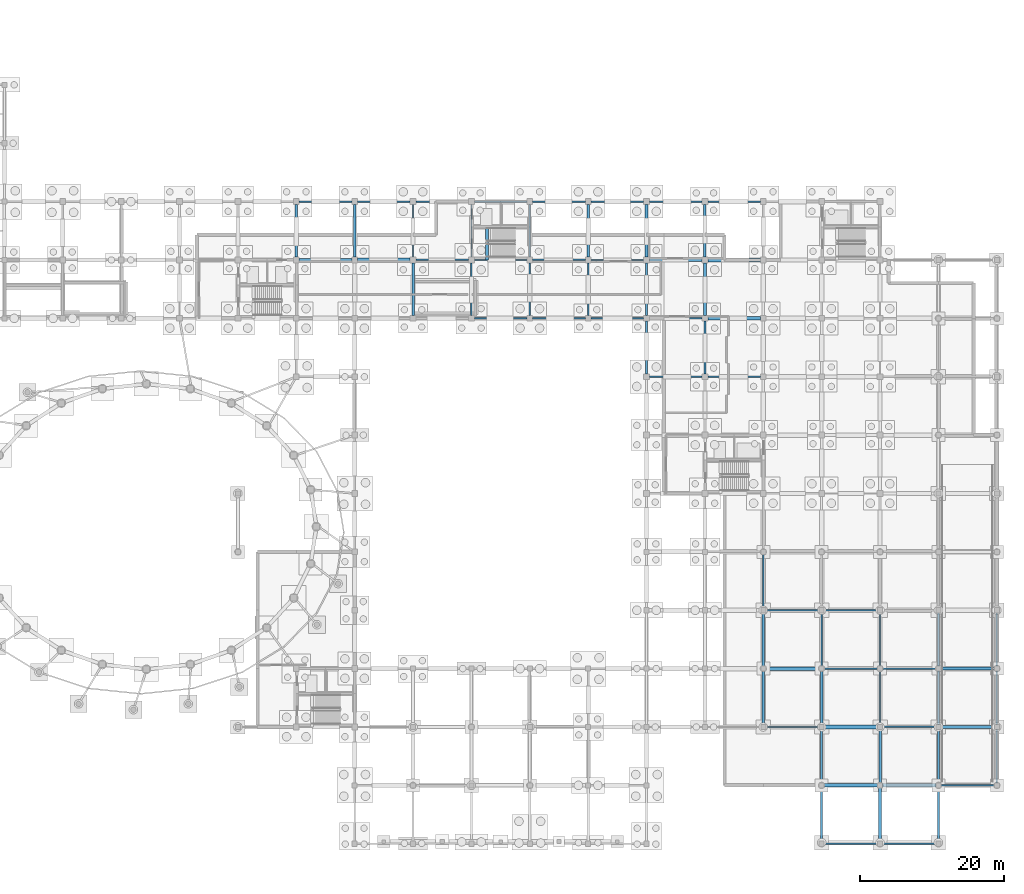
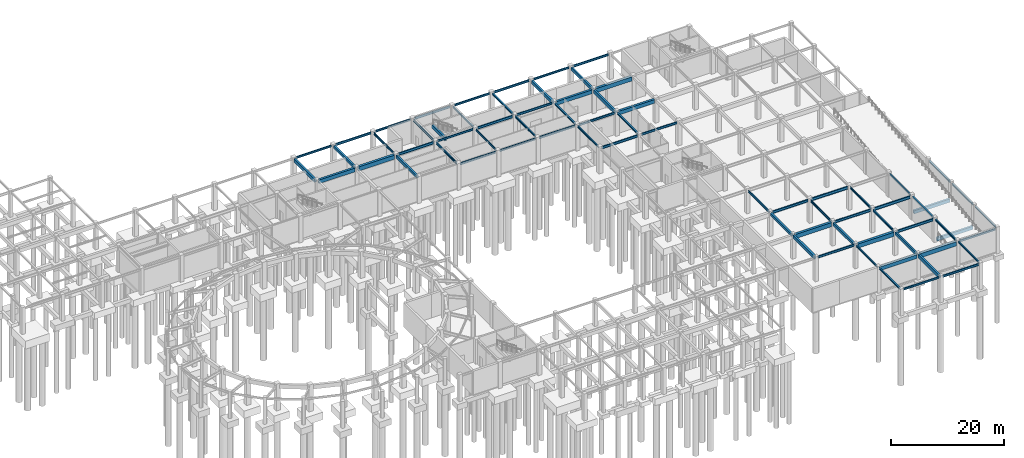
# One storey, part 14 of 26: 73 beams.
"""IFC4 building model written with IfcOpenShell, lengths in metres."""

import ifcopenshell
import ifcopenshell.guid

model = None  # the IFC model being written
_history = None  # IfcOwnerHistory: only IFC2X3 demands one
_inside = {}  # id of a spatial element -> (the spatial element, [elements in it])
_under = {}  # id of a project, library or spatial element -> (it, [spatial elements below it])
_declared = {}  # id of a project -> (the project, [libraries it declares])
_typed = {}  # id of a type object -> (the type object, [elements of that type])
_made_of = {}  # id of a material, layer set ... -> (it, [elements and type objects made of it])


def new_model(schema):
    """Start an empty IFC model of exactly this schema.

    Asked for "IFC4X3", IfcOpenShell would pick the latest addendum, in which some entities
    have other attributes; the version numbers below select the first issue.
    IFC2X3 requires an IfcOwnerHistory on every rooted entity: one is made here for all.
    """
    global model, _history
    if schema == "IFC4X3":
        model = ifcopenshell.file(schema_version=(4, 3, 0, 0))
    else:
        model = ifcopenshell.file(schema=schema)
    _inside.clear()
    _under.clear()
    _declared.clear()
    _typed.clear()
    _made_of.clear()
    _history = None
    if model.schema == "IFC2X3":
        org = make("IfcOrganization", Name="unknown")
        user = make(
            "IfcPersonAndOrganization",
            ThePerson=make("IfcPerson", FamilyName="unknown"),
            TheOrganization=org,
        )
        app = make(
            "IfcApplication",
            ApplicationDeveloper=org,
            Version="unknown",
            ApplicationFullName="unknown",
            ApplicationIdentifier="unknown",
        )
        _history = make(
            "IfcOwnerHistory",
            OwningUser=user,
            OwningApplication=app,
            ChangeAction="ADDED",
            CreationDate=0,
        )
    return model


def make(cls, **values):
    """One entity of the class cls with the attributes given. An attribute that is None is left unset."""
    return model.create_entity(
        cls, **{name: value for name, value in values.items() if value is not None}
    )


def rooted(cls, **values):
    """An entity with a GlobalId (a new one), such as an element, a storey or a relation."""
    return make(cls, GlobalId=ifcopenshell.guid.new(), OwnerHistory=_history, **values)


def si_unit(unit_type, name, prefix=None):
    """IfcSIUnit, for example si_unit("LENGTHUNIT", "METRE", prefix="MILLI")."""
    return make("IfcSIUnit", UnitType=unit_type, Prefix=prefix, Name=name)


def assignment(units):
    """IfcUnitAssignment: the units of a project."""
    return None if units is None else make("IfcUnitAssignment", Units=units)


def point(xyz):
    """IfcCartesianPoint."""
    return None if xyz is None else make("IfcCartesianPoint", Coordinates=xyz)


def direction(xyz):
    """IfcDirection."""
    return None if xyz is None else make("IfcDirection", DirectionRatios=xyz)


def frame(location, z_axis=None, x_axis=None):
    """IfcAxis2Placement3D, a coordinate frame: its origin and axes. An axis left out is left unset."""
    return make(
        "IfcAxis2Placement3D",
        Location=point(location),
        Axis=direction(z_axis),
        RefDirection=direction(x_axis),
    )


def frame_2d(location, x_axis=None):
    """IfcAxis2Placement2D, a coordinate frame in the plane: its origin and x axis."""
    return make(
        "IfcAxis2Placement2D", Location=point(location), RefDirection=direction(x_axis)
    )


def origin():
    """The frame at (0, 0, 0) with its axes left unset."""
    return frame((0.0, 0.0, 0.0))


def origin_2d():
    """The frame at (0, 0) in the plane with its x axis left unset."""
    return frame_2d((0.0, 0.0))


def place(relative_to, where):
    """IfcLocalPlacement: puts the frame where relative to a parent placement (None: the world)."""
    return make(
        "IfcLocalPlacement", PlacementRelTo=relative_to, RelativePlacement=where
    )


def context(
    kind, dimensions, precision=None, world=None, true_north=None, identifier=None
):
    """IfcGeometricRepresentationContext, for example the 3D "Model" context."""
    return make(
        "IfcGeometricRepresentationContext",
        ContextIdentifier=identifier,
        ContextType=kind,
        CoordinateSpaceDimension=dimensions,
        Precision=precision,
        WorldCoordinateSystem=world,
        TrueNorth=true_north,
    )


def subcontext(parent, identifier, kind, view, scale=None):
    """IfcGeometricRepresentationSubContext, for example "Body" below "Model"."""
    return make(
        "IfcGeometricRepresentationSubContext",
        ContextIdentifier=identifier,
        ContextType=kind,
        ParentContext=parent,
        TargetScale=scale,
        TargetView=view,
    )


def project(units=None, contexts=None):
    """IfcProject with its units and contexts."""
    return rooted(
        "IfcProject",
        Name="project",
        RepresentationContexts=contexts,
        UnitsInContext=assignment(units),
    )


def spatial(cls, under=None, at=None, **own):
    """A site, building, storey or space (cls), placed at a placement, below another one or the project."""
    s = rooted(cls, ObjectPlacement=at, **own)
    if under is not None:
        _under.setdefault(under.id(), (under, []))[1].append(s)
    return s


def profile(cls, at=None, kind="AREA", **sizes):
    """A parametric profile (cls). Its sizes go by their IFC names, for example OverallWidth=200.0."""
    return make(cls, ProfileType=kind, Position=at, **sizes)


def rectangle(**sizes):
    """IfcRectangleProfileDef."""
    return profile("IfcRectangleProfileDef", **sizes)


def i_section(**sizes):
    """IfcIShapeProfileDef."""
    return profile("IfcIShapeProfileDef", **sizes)


def extrude(swept, where, along, depth):
    """IfcExtrudedAreaSolid: the profile swept, set in the frame where, extruded along a direction by depth."""
    return make(
        "IfcExtrudedAreaSolid",
        SweptArea=swept,
        Position=where,
        ExtrudedDirection=direction(along),
        Depth=depth,
    )


def shape(context_of_items, identifier, shape_type, items):
    """IfcShapeRepresentation: the items that make up one representation, for example the "Body"."""
    return make(
        "IfcShapeRepresentation",
        ContextOfItems=context_of_items,
        RepresentationIdentifier=identifier,
        RepresentationType=shape_type,
        Items=items,
    )


def material(Name=None, Category=None):
    """IfcMaterial."""
    return make("IfcMaterial", Name=Name, Category=Category)


def material_profile(
    of_material, cross_section, Name=None, Category=None, Priority=None
):
    """IfcMaterialProfile: a cross section and its material."""
    return make(
        "IfcMaterialProfile",
        Name=Name,
        Material=of_material,
        Profile=cross_section,
        Priority=Priority,
        Category=Category,
    )


def profile_set(profiles, Name=None, composite=None):
    """IfcMaterialProfileSet."""
    return make(
        "IfcMaterialProfileSet",
        Name=Name,
        MaterialProfiles=profiles,
        CompositeProfile=composite,
    )


def made_of(thing, what):
    """Note that an element or type object is made of a material, layer set ...; save() writes the relation."""
    if what is not None:
        _made_of.setdefault(what.id(), (what, []))[1].append(thing)
    return thing


def type_object(cls, material=None, **own):
    """A type object (cls), such as IfcWallType, which elements share."""
    return made_of(rooted(cls, **own), material)


def element(
    cls,
    number,
    at=None,
    inside=None,
    cuts=None,
    type_object=None,
    material=None,
    context=None,
    identifier="Body",
    shape_type=None,
    held_by="IfcProductDefinitionShape",
    body=None,
    shapes=None,
    **own,
):
    """One element of the class cls, such as IfcWall. Its Tag is "e" and its number.

    at: its placement. inside: the storey or other place that contains it. cuts: it is an
    opening in that element (IfcRelVoidsElement). A single representation is given by context,
    identifier, shape_type and body (its items); several are given by shapes. held_by: the class
    of the entity that holds the representations. save() writes the other relations.
    """
    e = rooted(cls, Tag="e%d" % number, ObjectPlacement=at, **own)
    if body is not None:
        shapes = [shape(context, identifier, shape_type, body)]
    if shapes is not None:
        e.Representation = make(held_by, Representations=shapes)
    if inside is not None:
        _inside.setdefault(inside.id(), (inside, []))[1].append(e)
    if cuts is not None:
        rooted(
            "IfcRelVoidsElement", RelatingBuildingElement=cuts, RelatedOpeningElement=e
        )
    if type_object is not None:
        _typed.setdefault(type_object.id(), (type_object, []))[1].append(e)
    return made_of(e, material)


def aggregate(whole, parts):
    """IfcRelAggregates: a whole, such as a stair, and the parts it consists of."""
    return rooted("IfcRelAggregates", RelatingObject=whole, RelatedObjects=parts)


def save(model, path):
    """Write the relations noted so far, then the file.

    IfcRelAggregates (storeys below a building ...), IfcRelContainedInSpatialStructure (elements
    in a storey), IfcRelDefinesByType, IfcRelAssociatesMaterial and IfcRelDeclares: one each for
    every whole, place, type object, material and project.
    """
    for whole, parts in _under.values():
        aggregate(whole, parts)
    for where, things in _inside.values():
        rooted(
            "IfcRelContainedInSpatialStructure",
            RelatedElements=things,
            RelatingStructure=where,
        )
    for kind, things in _typed.values():
        rooted("IfcRelDefinesByType", RelatedObjects=things, RelatingType=kind)
    for what, things in _made_of.values():
        rooted("IfcRelAssociatesMaterial", RelatedObjects=things, RelatingMaterial=what)
    for by, libraries in _declared.values():
        rooted("IfcRelDeclares", RelatingContext=by, RelatedDefinitions=libraries)
    model.write(path)


model = new_model("IFC4")

# Units and contexts
model_context = context("Model", 3, precision=1e-05, world=origin(), true_north=direction((0.0, 1.0)))
body_context = subcontext(model_context, "Body", "Model", "MODEL_VIEW")
ifc_project = project(units=[si_unit("LENGTHUNIT", "METRE"), si_unit("AREAUNIT", "SQUARE_METRE"), si_unit("VOLUMEUNIT", "CUBIC_METRE"), si_unit("PLANEANGLEUNIT", "RADIAN"), si_unit("MASSUNIT", "GRAM", prefix="KILO")], contexts=[model_context])

# Site, building, storey
site_placement = place(None, origin())
site = spatial("IfcSite", under=ifc_project, at=site_placement, CompositionType="ELEMENT")
building_placement = place(site_placement, origin())
building = spatial("IfcBuilding", under=site, at=building_placement, Name="Parian Resonance Hall", CompositionType="ELEMENT")
storey_placement = place(building_placement, frame((0.0, 0.0, -5.39990234375)))
storey = spatial("IfcBuildingStorey", under=building, at=storey_placement, Name="B1", CompositionType="ELEMENT", Elevation=-5.39990234375)

# Beams
ifc_material_1 = material(Name="Concrete C40/50", Category="concrete")
ifc_material_profile_1 = material_profile(ifc_material_1, rectangle(XDim=0.35009765625, YDim=0.60009765625, at=origin_2d()), Name="RC-BM-350x600")
ifc_profile_set_1 = profile_set([ifc_material_profile_1], Name="Concrete C40/50")
beam_type_1 = type_object("IfcBeamType", Name="BM-RC350x600", PredefinedType="BEAM", material=ifc_profile_set_1)
for number, where, z_axis, x_axis, name in (
    (1, (72.89990234375, 81.39990234375, 4.829833984375), (0.0, 1.0, 0.0), (-1.0, 0.0, 0.0), "GY-B1-0175"),
    (2, (81.0, 73.300048828125, 4.829833984375), (0.0, 1.0, 0.0), (-1.0, 0.0, 0.0), "GY-B1-0179"),
    (3, (121.5, 81.39990234375, 4.760009765625), (0.0, 1.0, 0.0), (-1.0, 0.0, 0.0), "GY-B1-0215"),
):
    element("IfcBeam", number, at=place(storey_placement, frame(where, z_axis=z_axis, x_axis=x_axis)), inside=storey, type_object=beam_type_1, Name=name, PredefinedType="BEAM", context=body_context, shape_type="SweptSolid", body=[
        extrude(rectangle(XDim=0.35009765625, YDim=0.60009765625, at=origin_2d()), origin(), (0.0, 0.0, 1.0), 7.300048828125),
    ])
beam_1_placement = place(storey_placement, frame((129.60009765625, 24.64990234375, 4.760009765625), z_axis=(0.0, 1.0, 0.0), x_axis=(-1.0, 0.0, 0.0)))
element("IfcBeam", 4, at=beam_1_placement, inside=storey, type_object=beam_type_1, Name="GY-B1-0217", PredefinedType="BEAM", context=body_context, shape_type="SweptSolid", body=[
    extrude(rectangle(XDim=0.35009765625, YDim=0.60009765625, at=origin_2d()), origin(), (0.0, 0.0, 1.0), 7.400146484375),
])
beam_2_placement = place(storey_placement, frame((137.699951171875, 16.550048828125, 4.760009765625), z_axis=(0.0, 1.0, 0.0), x_axis=(-1.0, 0.0, 0.0)))
element("IfcBeam", 5, at=beam_2_placement, inside=storey, type_object=beam_type_1, Name="GY-B1-0227", PredefinedType="BEAM", context=body_context, shape_type="SweptSolid", body=[
    extrude(rectangle(XDim=0.35009765625, YDim=0.60009765625, at=origin_2d()), origin(), (0.0, 0.0, 1.0), 7.39990234375),
])
beam_3_placement = place(storey_placement, frame((145.800048828125, 8.449951171875, 4.760009765625), z_axis=(0.0, 1.0, 0.0), x_axis=(-1.0, 0.0, 0.0)))
element("IfcBeam", 6, at=beam_3_placement, inside=storey, type_object=beam_type_1, Name="GY-B1-0237", PredefinedType="BEAM", context=body_context, shape_type="SweptSolid", body=[
    extrude(rectangle(XDim=0.35009765625, YDim=0.60009765625, at=origin_2d()), origin(), (0.0, 0.0, 1.0), 7.400146484375),
])
ifc_material_2 = material(Name="Concrete C40/50", Category="concrete")
ifc_material_profile_2 = material_profile(ifc_material_2, rectangle(XDim=0.39990234375, YDim=0.699951171875, at=origin_2d()), Name="RC-BM-400x700")
ifc_profile_set_2 = profile_set([ifc_material_profile_2], Name="Concrete C40/50")
beam_type_2 = type_object("IfcBeamType", Name="BM-RC400x700", PredefinedType="BEAM", material=ifc_profile_set_2)
for number, where, z_axis, x_axis, name in (
    (7, (64.800048828125, 81.39990234375, 4.77978515625), (0.0, 1.0, 0.0), (-1.0, 0.0, 0.0), "GY-B1-0164"),
    (8, (113.39990234375, 81.39990234375, 4.7099609375), (0.0, 1.0, 0.0), (-1.0, 0.0, 0.0), "GY-B1-0206"),
    (9, (121.5, 73.300048828125, 4.7099609375), (0.0, 1.0, 0.0), (-1.0, 0.0, 0.0), "GY-B1-0214"),
):
    element("IfcBeam", number, at=place(storey_placement, frame(where, z_axis=z_axis, x_axis=x_axis)), inside=storey, type_object=beam_type_2, Name=name, PredefinedType="BEAM", context=body_context, shape_type="SweptSolid", body=[
        extrude(rectangle(XDim=0.39990234375, YDim=0.699951171875, at=origin_2d()), origin(), (0.0, 0.0, 1.0), 7.300048828125),
    ])
for number, where, z_axis, x_axis, name in (
    (10, (129.60009765625, 16.550048828125, 4.81982421875), (0.0, 1.0, 0.0), (-1.0, 0.0, 0.0), "GY-B1-0216"),
    (11, (145.800048828125, 0.35009765625, 4.81982421875), (0.0, 1.0, 0.0), (-1.0, 0.0, 0.0), "GY-B1-0236"),
):
    element("IfcBeam", number, at=place(storey_placement, frame(where, z_axis=z_axis, x_axis=x_axis)), inside=storey, type_object=beam_type_2, Name=name, PredefinedType="BEAM", context=body_context, shape_type="SweptSolid", body=[
        extrude(rectangle(XDim=0.39990234375, YDim=0.699951171875, at=origin_2d()), origin(), (0.0, 0.0, 1.0), 7.39990234375),
    ])
beam_4_placement = place(storey_placement, frame((91.239990234375, 81.0, 4.77978515625), z_axis=(0.0, 1.0, 0.0), x_axis=(-1.0, 0.0, 0.0)))
element("IfcBeam", 12, at=beam_4_placement, inside=storey, type_object=beam_type_2, Name="Core K5 stair arrival trimmer beam B1", PredefinedType="BEAM", context=body_context, shape_type="SweptSolid", body=[
    extrude(rectangle(XDim=0.39990234375, YDim=0.699951171875, at=origin_2d()), origin(), (0.0, 0.0, 1.0), 4.610107421875),
])
for number, where, z_axis, x_axis, name in (
    (13, (154.260009765625, 16.199951171875, 0.307861328125), (1.0, 0.0, 0.0), (0.0, 1.0, 0.0), "Car park vehicle ramp support beam 1"),
    (14, (154.260009765625, 24.300048828125, 1.295166015625), (1.0, 0.0, 0.0), (0.0, 1.0, 0.0), "Car park vehicle ramp support beam 2"),
):
    element("IfcBeam", number, at=place(storey_placement, frame(where, z_axis=z_axis, x_axis=x_axis)), inside=storey, type_object=beam_type_2, Name=name, PredefinedType="BEAM", context=body_context, shape_type="SweptSolid", body=[
        extrude(rectangle(XDim=0.39990234375, YDim=0.699951171875, at=origin_2d()), origin(), (0.0, 0.0, 1.0), 7.3798828125),
    ])
ifc_material_3 = material(Name="Concrete C40/50", Category="concrete")
ifc_material_profile_3 = material_profile(ifc_material_3, rectangle(XDim=0.449951171875, YDim=0.800048828125, at=origin_2d()), Name="RC-BM-450x800")
ifc_profile_set_3 = profile_set([ifc_material_profile_3], Name="Concrete C40/50")
beam_type_3 = type_object("IfcBeamType", Name="BM-RC450x800", PredefinedType="USERDEFINED", material=ifc_profile_set_3)
for number, where, z_axis, x_axis, name in (
    (15, (65.199951171875, 81.0, 4.72998046875), (1.0, 0.0, 0.0), (0.0, 1.0, 0.0), "GX-B1-0038"),
    (16, (113.800048828125, 81.0, 4.659912109375), (1.0, 0.0, 0.0), (0.0, 1.0, 0.0), "GX-B1-0083"),
    (17, (121.89990234375, 72.89990234375, 4.659912109375), (1.0, 0.0, 0.0), (0.0, 1.0, 0.0), "GX-B1-0092"),
):
    element("IfcBeam", number, at=place(storey_placement, frame(where, z_axis=z_axis, x_axis=x_axis)), inside=storey, type_object=beam_type_3, Name=name, ObjectType="GIRDER", PredefinedType="USERDEFINED", context=body_context, shape_type="SweptSolid", body=[
        extrude(rectangle(XDim=0.449951171875, YDim=0.800048828125, at=origin_2d()), origin(), (0.0, 0.0, 1.0), 7.300048828125),
    ])
beam_5_placement = place(storey_placement, frame((138.050048828125, 8.10009765625, 4.659912109375), z_axis=(1.0, 0.0, 0.0), x_axis=(0.0, 1.0, 0.0)))
element("IfcBeam", 18, at=beam_5_placement, inside=storey, type_object=beam_type_3, Name="GX-B1-0106", ObjectType="GIRDER", PredefinedType="USERDEFINED", context=body_context, shape_type="SweptSolid", body=[
    extrude(rectangle(XDim=0.449951171875, YDim=0.800048828125, at=origin_2d()), origin(), (0.0, 0.0, 1.0), 7.39990234375),
])
ifc_material_4 = material(Name="Concrete C40/50", Category="concrete")
ifc_material_profile_4 = material_profile(ifc_material_4, rectangle(XDim=0.5, YDim=0.89990234375, at=origin_2d()), Name="RC-BM-500x900")
ifc_profile_set_4 = profile_set([ifc_material_profile_4], Name="Concrete C40/50")
beam_type_4 = type_object("IfcBeamType", Name="BM-RC500x900", PredefinedType="USERDEFINED", material=ifc_profile_set_4)
for number, where, z_axis, x_axis, name in (
    (19, (73.300048828125, 81.0, 4.679931640625), (1.0, 0.0, 0.0), (0.0, 1.0, 0.0), "GX-B1-0045"),
    (20, (121.89990234375, 81.0, 4.60986328125), (1.0, 0.0, 0.0), (0.0, 1.0, 0.0), "GX-B1-0093"),
):
    element("IfcBeam", number, at=place(storey_placement, frame(where, z_axis=z_axis, x_axis=x_axis)), inside=storey, type_object=beam_type_4, Name=name, ObjectType="GIRDER", PredefinedType="USERDEFINED", context=body_context, shape_type="SweptSolid", body=[
        extrude(rectangle(XDim=0.5, YDim=0.89990234375, at=origin_2d()), origin(), (0.0, 0.0, 1.0), 7.300048828125),
    ])
beam_6_placement = place(storey_placement, frame((129.949951171875, 24.300048828125, 4.60986328125), z_axis=(1.0, 0.0, 0.0), x_axis=(0.0, 1.0, 0.0)))
element("IfcBeam", 21, at=beam_6_placement, inside=storey, type_object=beam_type_4, Name="GX-B1-0096", ObjectType="GIRDER", PredefinedType="USERDEFINED", context=body_context, shape_type="SweptSolid", body=[
    extrude(rectangle(XDim=0.5, YDim=0.89990234375, at=origin_2d()), origin(), (0.0, 0.0, 1.0), 7.400146484375),
])
beam_7_placement = place(storey_placement, frame((138.050048828125, 16.199951171875, 4.60986328125), z_axis=(1.0, 0.0, 0.0), x_axis=(0.0, 1.0, 0.0)))
element("IfcBeam", 22, at=beam_7_placement, inside=storey, type_object=beam_type_4, Name="GX-B1-0107", ObjectType="GIRDER", PredefinedType="USERDEFINED", context=body_context, shape_type="SweptSolid", body=[
    extrude(rectangle(XDim=0.5, YDim=0.89990234375, at=origin_2d()), origin(), (0.0, 0.0, 1.0), 7.39990234375),
])
beam_8_placement = place(storey_placement, frame((146.14990234375, 8.10009765625, 4.60986328125), z_axis=(1.0, 0.0, 0.0), x_axis=(0.0, 1.0, 0.0)))
element("IfcBeam", 23, at=beam_8_placement, inside=storey, type_object=beam_type_4, Name="GX-B1-0118", ObjectType="GIRDER", PredefinedType="USERDEFINED", context=body_context, shape_type="SweptSolid", body=[
    extrude(rectangle(XDim=0.5, YDim=0.89990234375, at=origin_2d()), origin(), (0.0, 0.0, 1.0), 7.400146484375),
])
ifc_material_5 = material(Name="Steel S355", Category="steel")
ifc_material_profile_5 = material_profile(ifc_material_5, i_section(OverallWidth=0.304931640625, OverallDepth=0.30810546875, WebThickness=0.010009765625, FlangeThickness=0.015380859375, FilletRadius=0.01513671875, at=origin_2d()), Name="W310x97")
ifc_profile_set_5 = profile_set([ifc_material_profile_5], Name="Steel S355")
beam_type_5 = type_object("IfcBeamType", Name="BM-W310x97", PredefinedType="BEAM", material=ifc_profile_set_5)
for number, where, z_axis, x_axis, name in (
    (24, (105.300048828125, 81.39990234375, 4.975830078125), (0.0, 1.0, 0.0), (-1.0, 0.0, 0.0), "GY-B1-0195"),
    (25, (113.39990234375, 73.300048828125, 4.906005859375), (0.0, 1.0, 0.0), (-1.0, 0.0, 0.0), "GY-B1-0205"),
    (26, (121.5, 65.199951171875, 4.906005859375), (0.0, 1.0, 0.0), (-1.0, 0.0, 0.0), "GY-B1-0213"),
):
    element("IfcBeam", number, at=place(storey_placement, frame(where, z_axis=z_axis, x_axis=x_axis)), inside=storey, type_object=beam_type_5, Name=name, PredefinedType="BEAM", context=body_context, shape_type="SweptSolid", body=[
        extrude(i_section(OverallWidth=0.304931640625, OverallDepth=0.30810546875, WebThickness=0.010009765625, FlangeThickness=0.015380859375, FilletRadius=0.01513671875, at=origin_2d()), origin(), (0.0, 0.0, 1.0), 7.300048828125),
    ])
ifc_material_6 = material(Name="Steel S355", Category="steel")
ifc_material_profile_6 = material_profile(ifc_material_6, i_section(OverallWidth=0.2548828125, OverallDepth=0.35693359375, WebThickness=0.010498046875, FlangeThickness=0.018310546875, FilletRadius=0.01513671875, at=origin_2d()), Name="W360x101")
ifc_profile_set_6 = profile_set([ifc_material_profile_6], Name="Steel S355")
beam_type_6 = type_object("IfcBeamType", Name="BM-W360x101", PredefinedType="SPANDREL", material=ifc_profile_set_6)
for number, where, z_axis, x_axis, name in (
    (27, (97.199951171875, 81.39990234375, 4.951416015625), (0.0, 1.0, 0.0), (-1.0, 0.0, 0.0), "GY-B1-0190"),
    (28, (105.300048828125, 73.300048828125, 4.951416015625), (0.0, 1.0, 0.0), (-1.0, 0.0, 0.0), "GY-B1-0194"),
    (29, (113.39990234375, 65.199951171875, 4.88134765625), (0.0, 1.0, 0.0), (-1.0, 0.0, 0.0), "GY-B1-0204"),
):
    element("IfcBeam", number, at=place(storey_placement, frame(where, z_axis=z_axis, x_axis=x_axis)), inside=storey, type_object=beam_type_6, Name=name, PredefinedType="SPANDREL", context=body_context, shape_type="SweptSolid", body=[
        extrude(i_section(OverallWidth=0.2548828125, OverallDepth=0.35693359375, WebThickness=0.010498046875, FlangeThickness=0.018310546875, FilletRadius=0.01513671875, at=origin_2d()), origin(), (0.0, 0.0, 1.0), 7.300048828125),
    ])
beam_9_placement = place(storey_placement, frame((137.699951171875, 0.35009765625, 4.991455078125), z_axis=(0.0, 1.0, 0.0), x_axis=(-1.0, 0.0, 0.0)))
element("IfcBeam", 30, at=beam_9_placement, inside=storey, type_object=beam_type_6, Name="GY-B1-0225", PredefinedType="SPANDREL", context=body_context, shape_type="SweptSolid", body=[
    extrude(i_section(OverallWidth=0.2548828125, OverallDepth=0.35693359375, WebThickness=0.010498046875, FlangeThickness=0.018310546875, FilletRadius=0.01513671875, at=origin_2d()), origin(), (0.0, 0.0, 1.0), 7.39990234375),
])
beam_10_placement = place(storey_placement, frame((137.699951171875, 8.449951171875, 4.88134765625), z_axis=(0.0, 1.0, 0.0), x_axis=(-1.0, 0.0, 0.0)))
element("IfcBeam", 31, at=beam_10_placement, inside=storey, type_object=beam_type_6, Name="GY-B1-0226", PredefinedType="SPANDREL", context=body_context, shape_type="SweptSolid", body=[
    extrude(i_section(OverallWidth=0.2548828125, OverallDepth=0.35693359375, WebThickness=0.010498046875, FlangeThickness=0.018310546875, FilletRadius=0.01513671875, at=origin_2d()), origin(), (0.0, 0.0, 1.0), 7.400146484375),
])
beam_11_placement = place(storey_placement, frame((153.89990234375, 0.35009765625, 4.991455078125), z_axis=(0.0, 1.0, 0.0), x_axis=(-1.0, 0.0, 0.0)))
element("IfcBeam", 32, at=beam_11_placement, inside=storey, type_object=beam_type_6, Name="GY-B1-0247", PredefinedType="SPANDREL", context=body_context, shape_type="SweptSolid", body=[
    extrude(i_section(OverallWidth=0.2548828125, OverallDepth=0.35693359375, WebThickness=0.010498046875, FlangeThickness=0.018310546875, FilletRadius=0.01513671875, at=origin_2d()), origin(), (0.0, 0.0, 1.0), 7.39990234375),
])
beam_12_placement = place(storey_placement, frame((153.89990234375, 8.449951171875, 4.88134765625), z_axis=(0.0, 1.0, 0.0), x_axis=(-1.0, 0.0, 0.0)))
element("IfcBeam", 33, at=beam_12_placement, inside=storey, type_object=beam_type_6, Name="GY-B1-0248", PredefinedType="SPANDREL", context=body_context, shape_type="SweptSolid", body=[
    extrude(i_section(OverallWidth=0.2548828125, OverallDepth=0.35693359375, WebThickness=0.010498046875, FlangeThickness=0.018310546875, FilletRadius=0.01513671875, at=origin_2d()), origin(), (0.0, 0.0, 1.0), 7.400146484375),
])
beam_13_placement = place(storey_placement, frame((153.89990234375, 16.550048828125, 4.88134765625), z_axis=(0.0, 1.0, 0.0), x_axis=(-1.0, 0.0, 0.0)))
element("IfcBeam", 34, at=beam_13_placement, inside=storey, type_object=beam_type_6, Name="GY-B1-0249", PredefinedType="SPANDREL", context=body_context, shape_type="SweptSolid", body=[
    extrude(i_section(OverallWidth=0.2548828125, OverallDepth=0.35693359375, WebThickness=0.010498046875, FlangeThickness=0.018310546875, FilletRadius=0.01513671875, at=origin_2d()), origin(), (0.0, 0.0, 1.0), 7.39990234375),
])
for number, where, z_axis, x_axis, name in (
    (35, (153.89990234375, 24.64990234375, 4.88134765625), (0.0, 1.0, 0.0), (-1.0, 0.0, 0.0), "GY-B1-0250"),
    (36, (162.0, 8.449951171875, 4.88134765625), (0.0, 1.0, 0.0), (-1.0, 0.0, 0.0), "GY-B1-0257"),
):
    element("IfcBeam", number, at=place(storey_placement, frame(where, z_axis=z_axis, x_axis=x_axis)), inside=storey, type_object=beam_type_6, Name=name, PredefinedType="SPANDREL", context=body_context, shape_type="SweptSolid", body=[
        extrude(i_section(OverallWidth=0.2548828125, OverallDepth=0.35693359375, WebThickness=0.010498046875, FlangeThickness=0.018310546875, FilletRadius=0.01513671875, at=origin_2d()), origin(), (0.0, 0.0, 1.0), 7.400146484375),
    ])
beam_14_placement = place(storey_placement, frame((162.0, 16.550048828125, 4.88134765625), z_axis=(0.0, 1.0, 0.0), x_axis=(-1.0, 0.0, 0.0)))
element("IfcBeam", 37, at=beam_14_placement, inside=storey, type_object=beam_type_6, Name="GY-B1-0258", PredefinedType="SPANDREL", context=body_context, shape_type="SweptSolid", body=[
    extrude(i_section(OverallWidth=0.2548828125, OverallDepth=0.35693359375, WebThickness=0.010498046875, FlangeThickness=0.018310546875, FilletRadius=0.01513671875, at=origin_2d()), origin(), (0.0, 0.0, 1.0), 7.39990234375),
])
beam_15_placement = place(storey_placement, frame((162.0, 24.64990234375, 4.88134765625), z_axis=(0.0, 1.0, 0.0), x_axis=(-1.0, 0.0, 0.0)))
element("IfcBeam", 38, at=beam_15_placement, inside=storey, type_object=beam_type_6, Name="GY-B1-0259", PredefinedType="SPANDREL", context=body_context, shape_type="SweptSolid", body=[
    extrude(i_section(OverallWidth=0.2548828125, OverallDepth=0.35693359375, WebThickness=0.010498046875, FlangeThickness=0.018310546875, FilletRadius=0.01513671875, at=origin_2d()), origin(), (0.0, 0.0, 1.0), 7.400146484375),
])
ifc_material_7 = material(Name="Steel S355", Category="steel")
ifc_material_profile_7 = material_profile(ifc_material_7, i_section(OverallWidth=0.180908203125, OverallDepth=0.4169921875, WebThickness=0.010986328125, FlangeThickness=0.018310546875, FilletRadius=0.01513671875, at=origin_2d()), Name="W410x85")
ifc_profile_set_7 = profile_set([ifc_material_profile_7], Name="Steel S355")
beam_type_7 = type_object("IfcBeamType", Name="BM-W410x85", PredefinedType="SPANDREL", material=ifc_profile_set_7)
for number, where, z_axis, x_axis, name in (
    (39, (65.199951171875, 89.10009765625, 4.92138671875), (1.0, 0.0, 0.0), (0.0, 1.0, 0.0), "GX-B1-0039"),
    (40, (81.39990234375, 89.10009765625, 4.92138671875), (1.0, 0.0, 0.0), (0.0, 1.0, 0.0), "GX-B1-0053"),
    (41, (89.5, 81.0, 4.92138671875), (1.0, 0.0, 0.0), (0.0, 1.0, 0.0), "GX-B1-0059"),
):
    element("IfcBeam", number, at=place(storey_placement, frame(where, z_axis=z_axis, x_axis=x_axis)), inside=storey, type_object=beam_type_7, Name=name, PredefinedType="SPANDREL", context=body_context, shape_type="SweptSolid", body=[
        extrude(i_section(OverallWidth=0.180908203125, OverallDepth=0.4169921875, WebThickness=0.010986328125, FlangeThickness=0.018310546875, FilletRadius=0.01513671875, at=origin_2d()), origin(), (0.0, 0.0, 1.0), 7.300048828125),
    ])
for number, where, z_axis, x_axis, name in (
    (42, (97.60009765625, 72.89990234375, 4.92138671875), (1.0, 0.0, 0.0), (0.0, 1.0, 0.0), "GX-B1-0065"),
    (43, (97.60009765625, 89.10009765625, 4.92138671875), (1.0, 0.0, 0.0), (0.0, 1.0, 0.0), "GX-B1-0067"),
):
    element("IfcBeam", number, at=place(storey_placement, frame(where, z_axis=z_axis, x_axis=x_axis)), inside=storey, type_object=beam_type_7, Name=name, PredefinedType="SPANDREL", context=body_context, shape_type="SweptSolid", body=[
        extrude(i_section(OverallWidth=0.180908203125, OverallDepth=0.4169921875, WebThickness=0.010986328125, FlangeThickness=0.018310546875, FilletRadius=0.01513671875, at=origin_2d()), origin(), (0.0, 0.0, 1.0), 7.2998046875),
    ])
beam_16_placement = place(storey_placement, frame((113.800048828125, 89.10009765625, 4.851318359375), z_axis=(1.0, 0.0, 0.0), x_axis=(0.0, 1.0, 0.0)))
element("IfcBeam", 44, at=beam_16_placement, inside=storey, type_object=beam_type_7, Name="GX-B1-0084", PredefinedType="SPANDREL", context=body_context, shape_type="SweptSolid", body=[
    extrude(i_section(OverallWidth=0.180908203125, OverallDepth=0.4169921875, WebThickness=0.010986328125, FlangeThickness=0.018310546875, FilletRadius=0.01513671875, at=origin_2d()), origin(), (0.0, 0.0, 1.0), 7.300048828125),
])
beam_17_placement = place(storey_placement, frame((138.050048828125, 0.0, 4.96142578125), z_axis=(1.0, 0.0, 0.0), x_axis=(0.0, 1.0, 0.0)))
element("IfcBeam", 45, at=beam_17_placement, inside=storey, type_object=beam_type_7, Name="GX-B1-0105", PredefinedType="SPANDREL", context=body_context, shape_type="SweptSolid", body=[
    extrude(i_section(OverallWidth=0.180908203125, OverallDepth=0.4169921875, WebThickness=0.010986328125, FlangeThickness=0.018310546875, FilletRadius=0.01513671875, at=origin_2d()), origin(), (0.0, 0.0, 1.0), 7.39990234375),
])
for number, where, z_axis, x_axis, name in (
    (46, (89.10009765625, 81.39990234375, 4.92138671875), (0.0, 1.0, 0.0), (-1.0, 0.0, 0.0), "GY-B1-0185"),
    (47, (97.199951171875, 73.300048828125, 4.92138671875), (0.0, 1.0, 0.0), (-1.0, 0.0, 0.0), "GY-B1-0189"),
):
    element("IfcBeam", number, at=place(storey_placement, frame(where, z_axis=z_axis, x_axis=x_axis)), inside=storey, type_object=beam_type_7, Name=name, PredefinedType="SPANDREL", context=body_context, shape_type="SweptSolid", body=[
        extrude(i_section(OverallWidth=0.180908203125, OverallDepth=0.4169921875, WebThickness=0.010986328125, FlangeThickness=0.018310546875, FilletRadius=0.01513671875, at=origin_2d()), origin(), (0.0, 0.0, 1.0), 7.300048828125),
    ])
beam_18_placement = place(storey_placement, frame((145.800048828125, 24.64990234375, 4.851318359375), z_axis=(0.0, 1.0, 0.0), x_axis=(-1.0, 0.0, 0.0)))
element("IfcBeam", 48, at=beam_18_placement, inside=storey, type_object=beam_type_7, Name="GY-B1-0239", PredefinedType="SPANDREL", context=body_context, shape_type="SweptSolid", body=[
    extrude(i_section(OverallWidth=0.180908203125, OverallDepth=0.4169921875, WebThickness=0.010986328125, FlangeThickness=0.018310546875, FilletRadius=0.01513671875, at=origin_2d()), origin(), (0.0, 0.0, 1.0), 7.400146484375),
])
ifc_material_8 = material(Name="Steel S355", Category="steel")
ifc_material_profile_8 = material_profile(ifc_material_8, i_section(OverallWidth=0.194091796875, OverallDepth=0.468994140625, WebThickness=0.0126953125, FlangeThickness=0.0205078125, FilletRadius=0.01513671875, at=origin_2d()), Name="W460x106")
ifc_profile_set_8 = profile_set([ifc_material_profile_8], Name="Steel S355")
beam_type_8 = type_object("IfcBeamType", Name="BM-W460x106", PredefinedType="SPANDREL", material=ifc_profile_set_8)
for number, where, z_axis, x_axis, name in (
    (49, (73.300048828125, 89.10009765625, 4.8955078125), (1.0, 0.0, 0.0), (0.0, 1.0, 0.0), "GX-B1-0046"),
    (50, (89.5, 72.89990234375, 4.8955078125), (1.0, 0.0, 0.0), (0.0, 1.0, 0.0), "GX-B1-0058"),
    (51, (89.5, 89.10009765625, 4.8955078125), (1.0, 0.0, 0.0), (0.0, 1.0, 0.0), "GX-B1-0060"),
    (52, (105.699951171875, 72.89990234375, 4.8955078125), (1.0, 0.0, 0.0), (0.0, 1.0, 0.0), "GX-B1-0072"),
    (53, (105.699951171875, 89.10009765625, 4.8955078125), (1.0, 0.0, 0.0), (0.0, 1.0, 0.0), "GX-B1-0074"),
    (54, (121.89990234375, 89.10009765625, 4.825439453125), (1.0, 0.0, 0.0), (0.0, 1.0, 0.0), "GX-B1-0094"),
):
    element("IfcBeam", number, at=place(storey_placement, frame(where, z_axis=z_axis, x_axis=x_axis)), inside=storey, type_object=beam_type_8, Name=name, PredefinedType="SPANDREL", context=body_context, shape_type="SweptSolid", body=[
        extrude(i_section(OverallWidth=0.194091796875, OverallDepth=0.468994140625, WebThickness=0.0126953125, FlangeThickness=0.0205078125, FilletRadius=0.01513671875, at=origin_2d()), origin(), (0.0, 0.0, 1.0), 7.300048828125),
    ])
for number, where, z_axis, x_axis, name in (
    (55, (129.949951171875, 16.199951171875, 4.935302734375), (1.0, 0.0, 0.0), (0.0, 1.0, 0.0), "GX-B1-0095"),
    (56, (146.14990234375, 0.0, 4.935302734375), (1.0, 0.0, 0.0), (0.0, 1.0, 0.0), "GX-B1-0117"),
):
    element("IfcBeam", number, at=place(storey_placement, frame(where, z_axis=z_axis, x_axis=x_axis)), inside=storey, type_object=beam_type_8, Name=name, PredefinedType="SPANDREL", context=body_context, shape_type="SweptSolid", body=[
        extrude(i_section(OverallWidth=0.194091796875, OverallDepth=0.468994140625, WebThickness=0.0126953125, FlangeThickness=0.0205078125, FilletRadius=0.01513671875, at=origin_2d()), origin(), (0.0, 0.0, 1.0), 7.400146484375),
    ])
beam_19_placement = place(storey_placement, frame((154.25, 8.10009765625, 4.825439453125), z_axis=(1.0, 0.0, 0.0), x_axis=(0.0, 1.0, 0.0)))
element("IfcBeam", 57, at=beam_19_placement, inside=storey, type_object=beam_type_8, Name="GX-B1-0128", PredefinedType="SPANDREL", context=body_context, shape_type="SweptSolid", body=[
    extrude(i_section(OverallWidth=0.194091796875, OverallDepth=0.468994140625, WebThickness=0.0126953125, FlangeThickness=0.0205078125, FilletRadius=0.01513671875, at=origin_2d()), origin(), (0.0, 0.0, 1.0), 7.39990234375),
])
for number, where, z_axis, x_axis, name in (
    (58, (81.0, 81.39990234375, 4.8955078125), (0.0, 1.0, 0.0), (-1.0, 0.0, 0.0), "GY-B1-0180"),
    (59, (89.10009765625, 73.300048828125, 4.8955078125), (0.0, 1.0, 0.0), (-1.0, 0.0, 0.0), "GY-B1-0184"),
):
    element("IfcBeam", number, at=place(storey_placement, frame(where, z_axis=z_axis, x_axis=x_axis)), inside=storey, type_object=beam_type_8, Name=name, PredefinedType="SPANDREL", context=body_context, shape_type="SweptSolid", body=[
        extrude(i_section(OverallWidth=0.194091796875, OverallDepth=0.468994140625, WebThickness=0.0126953125, FlangeThickness=0.0205078125, FilletRadius=0.01513671875, at=origin_2d()), origin(), (0.0, 0.0, 1.0), 7.300048828125),
    ])
beam_20_placement = place(storey_placement, frame((129.60009765625, 32.75, 4.825439453125), z_axis=(0.0, 1.0, 0.0), x_axis=(-1.0, 0.0, 0.0)))
element("IfcBeam", 60, at=beam_20_placement, inside=storey, type_object=beam_type_8, Name="GY-B1-0218", PredefinedType="SPANDREL", context=body_context, shape_type="SweptSolid", body=[
    extrude(i_section(OverallWidth=0.194091796875, OverallDepth=0.468994140625, WebThickness=0.0126953125, FlangeThickness=0.0205078125, FilletRadius=0.01513671875, at=origin_2d()), origin(), (0.0, 0.0, 1.0), 7.39990234375),
])
beam_21_placement = place(storey_placement, frame((137.699951171875, 24.64990234375, 4.825439453125), z_axis=(0.0, 1.0, 0.0), x_axis=(-1.0, 0.0, 0.0)))
element("IfcBeam", 61, at=beam_21_placement, inside=storey, type_object=beam_type_8, Name="GY-B1-0228", PredefinedType="SPANDREL", context=body_context, shape_type="SweptSolid", body=[
    extrude(i_section(OverallWidth=0.194091796875, OverallDepth=0.468994140625, WebThickness=0.0126953125, FlangeThickness=0.0205078125, FilletRadius=0.01513671875, at=origin_2d()), origin(), (0.0, 0.0, 1.0), 7.400146484375),
])
beam_22_placement = place(storey_placement, frame((145.800048828125, 16.550048828125, 4.825439453125), z_axis=(0.0, 1.0, 0.0), x_axis=(-1.0, 0.0, 0.0)))
element("IfcBeam", 62, at=beam_22_placement, inside=storey, type_object=beam_type_8, Name="GY-B1-0238", PredefinedType="SPANDREL", context=body_context, shape_type="SweptSolid", body=[
    extrude(i_section(OverallWidth=0.194091796875, OverallDepth=0.468994140625, WebThickness=0.0126953125, FlangeThickness=0.0205078125, FilletRadius=0.01513671875, at=origin_2d()), origin(), (0.0, 0.0, 1.0), 7.39990234375),
])
ifc_material_9 = material(Name="Steel S355", Category="steel")
ifc_material_profile_9 = material_profile(ifc_material_9, i_section(OverallWidth=0.19091796875, OverallDepth=0.4599609375, WebThickness=0.010009765625, FlangeThickness=0.01611328125, FilletRadius=0.01513671875, at=origin_2d()), Name="W460x82")
ifc_profile_set_9 = profile_set([ifc_material_profile_9], Name="Steel S355")
beam_type_9 = type_object("IfcBeamType", Name="BM-W460x82", PredefinedType="BEAM", material=ifc_profile_set_9)
for number, where, z_axis, x_axis, name in (
    (63, (105.699951171875, 81.0, 4.89990234375), (1.0, 0.0, 0.0), (0.0, 1.0, 0.0), "GX-B1-0073"),
    (64, (113.800048828125, 72.89990234375, 4.829833984375), (1.0, 0.0, 0.0), (0.0, 1.0, 0.0), "GX-B1-0082"),
    (65, (121.89990234375, 64.800048828125, 4.829833984375), (1.0, 0.0, 0.0), (0.0, 1.0, 0.0), "GX-B1-0091"),
):
    element("IfcBeam", number, at=place(storey_placement, frame(where, z_axis=z_axis, x_axis=x_axis)), inside=storey, type_object=beam_type_9, Name=name, PredefinedType="BEAM", context=body_context, shape_type="SweptSolid", body=[
        extrude(i_section(OverallWidth=0.19091796875, OverallDepth=0.4599609375, WebThickness=0.010009765625, FlangeThickness=0.01611328125, FilletRadius=0.01513671875, at=origin_2d()), origin(), (0.0, 0.0, 1.0), 7.300048828125),
    ])
ifc_material_10 = material(Name="Steel S355", Category="steel")
ifc_material_profile_10 = material_profile(ifc_material_10, i_section(OverallWidth=0.2119140625, OverallDepth=0.5439453125, WebThickness=0.01318359375, FlangeThickness=0.021240234375, FilletRadius=0.017822265625, at=origin_2d()), Name="W530x123")
ifc_profile_set_10 = profile_set([ifc_material_profile_10], Name="Steel S355")
beam_type_10 = type_object("IfcBeamType", Name="BM-W530x123", PredefinedType="USERDEFINED", material=ifc_profile_set_10)
beam_23_placement = place(storey_placement, frame((81.39990234375, 81.0, 4.85791015625), z_axis=(1.0, 0.0, 0.0), x_axis=(0.0, 1.0, 0.0)))
element("IfcBeam", 66, at=beam_23_placement, inside=storey, type_object=beam_type_10, Name="GX-B1-0052", ObjectType="GIRDER", PredefinedType="USERDEFINED", context=body_context, shape_type="SweptSolid", body=[
    extrude(i_section(OverallWidth=0.2119140625, OverallDepth=0.5439453125, WebThickness=0.01318359375, FlangeThickness=0.021240234375, FilletRadius=0.017822265625, at=origin_2d()), origin(), (0.0, 0.0, 1.0), 7.300048828125),
])
beam_24_placement = place(storey_placement, frame((129.949951171875, 32.39990234375, 4.787841796875), z_axis=(1.0, 0.0, 0.0), x_axis=(0.0, 1.0, 0.0)))
element("IfcBeam", 67, at=beam_24_placement, inside=storey, type_object=beam_type_10, Name="GX-B1-0097", ObjectType="GIRDER", PredefinedType="USERDEFINED", context=body_context, shape_type="SweptSolid", body=[
    extrude(i_section(OverallWidth=0.2119140625, OverallDepth=0.5439453125, WebThickness=0.01318359375, FlangeThickness=0.021240234375, FilletRadius=0.017822265625, at=origin_2d()), origin(), (0.0, 0.0, 1.0), 7.400146484375),
])
beam_25_placement = place(storey_placement, frame((138.050048828125, 24.300048828125, 4.787841796875), z_axis=(1.0, 0.0, 0.0), x_axis=(0.0, 1.0, 0.0)))
element("IfcBeam", 68, at=beam_25_placement, inside=storey, type_object=beam_type_10, Name="GX-B1-0108", ObjectType="GIRDER", PredefinedType="USERDEFINED", context=body_context, shape_type="SweptSolid", body=[
    extrude(i_section(OverallWidth=0.2119140625, OverallDepth=0.5439453125, WebThickness=0.01318359375, FlangeThickness=0.021240234375, FilletRadius=0.017822265625, at=origin_2d()), origin(), (0.0, 0.0, 1.0), 7.39990234375),
])
beam_26_placement = place(storey_placement, frame((146.14990234375, 16.199951171875, 4.787841796875), z_axis=(1.0, 0.0, 0.0), x_axis=(0.0, 1.0, 0.0)))
element("IfcBeam", 69, at=beam_26_placement, inside=storey, type_object=beam_type_10, Name="GX-B1-0119", ObjectType="GIRDER", PredefinedType="USERDEFINED", context=body_context, shape_type="SweptSolid", body=[
    extrude(i_section(OverallWidth=0.2119140625, OverallDepth=0.5439453125, WebThickness=0.01318359375, FlangeThickness=0.021240234375, FilletRadius=0.017822265625, at=origin_2d()), origin(), (0.0, 0.0, 1.0), 7.400146484375),
])
ifc_material_11 = material(Name="Steel S355", Category="steel")
ifc_material_profile_11 = material_profile(ifc_material_11, i_section(OverallWidth=0.208984375, OverallDepth=0.532958984375, WebThickness=0.01025390625, FlangeThickness=0.015625, FilletRadius=0.017822265625, at=origin_2d()), Name="W530x92")
ifc_profile_set_11 = profile_set([ifc_material_profile_11], Name="Steel S355")
beam_type_11 = type_object("IfcBeamType", Name="BM-W530x92", PredefinedType="BEAM", material=ifc_profile_set_11)
beam_27_placement = place(storey_placement, frame((97.60009765625, 81.0, 4.86328125), z_axis=(1.0, 0.0, 0.0), x_axis=(0.0, 1.0, 0.0)))
element("IfcBeam", 70, at=beam_27_placement, inside=storey, type_object=beam_type_11, Name="GX-B1-0066", PredefinedType="BEAM", context=body_context, shape_type="SweptSolid", body=[
    extrude(i_section(OverallWidth=0.208984375, OverallDepth=0.532958984375, WebThickness=0.01025390625, FlangeThickness=0.015625, FilletRadius=0.017822265625, at=origin_2d()), origin(), (0.0, 0.0, 1.0), 7.2998046875),
])
beam_28_placement = place(storey_placement, frame((113.800048828125, 64.800048828125, 4.79345703125), z_axis=(1.0, 0.0, 0.0), x_axis=(0.0, 1.0, 0.0)))
element("IfcBeam", 71, at=beam_28_placement, inside=storey, type_object=beam_type_11, Name="GX-B1-0081", PredefinedType="BEAM", context=body_context, shape_type="SweptSolid", body=[
    extrude(i_section(OverallWidth=0.208984375, OverallDepth=0.532958984375, WebThickness=0.01025390625, FlangeThickness=0.015625, FilletRadius=0.017822265625, at=origin_2d()), origin(), (0.0, 0.0, 1.0), 7.300048828125),
])
ifc_material_12 = material(Name="Steel S355", Category="steel")
ifc_material_profile_12 = material_profile(ifc_material_12, i_section(OverallWidth=0.22802734375, OverallDepth=0.60791015625, WebThickness=0.01123046875, FlangeThickness=0.017333984375, FilletRadius=0.017822265625, at=origin_2d()), Name="W610x113")
ifc_profile_set_12 = profile_set([ifc_material_profile_12], Name="Steel S355")
beam_type_12 = type_object("IfcBeamType", Name="BM-W610x113", PredefinedType="USERDEFINED", material=ifc_profile_set_12)
beam_29_placement = place(storey_placement, frame((138.050048828125, 32.39990234375, 4.755859375), z_axis=(1.0, 0.0, 0.0), x_axis=(0.0, 1.0, 0.0)))
element("IfcBeam", 72, at=beam_29_placement, inside=storey, type_object=beam_type_12, Name="GX-B1-0109", ObjectType="GIRDER", PredefinedType="USERDEFINED", context=body_context, shape_type="SweptSolid", body=[
    extrude(i_section(OverallWidth=0.22802734375, OverallDepth=0.60791015625, WebThickness=0.01123046875, FlangeThickness=0.017333984375, FilletRadius=0.017822265625, at=origin_2d()), origin(), (0.0, 0.0, 1.0), 7.39990234375),
])
beam_30_placement = place(storey_placement, frame((146.14990234375, 24.300048828125, 4.755859375), z_axis=(1.0, 0.0, 0.0), x_axis=(0.0, 1.0, 0.0)))
element("IfcBeam", 73, at=beam_30_placement, inside=storey, type_object=beam_type_12, Name="GX-B1-0120", ObjectType="GIRDER", PredefinedType="USERDEFINED", context=body_context, shape_type="SweptSolid", body=[
    extrude(i_section(OverallWidth=0.22802734375, OverallDepth=0.60791015625, WebThickness=0.01123046875, FlangeThickness=0.017333984375, FilletRadius=0.017822265625, at=origin_2d()), origin(), (0.0, 0.0, 1.0), 7.400146484375),
])

save(model, "model.ifc")
